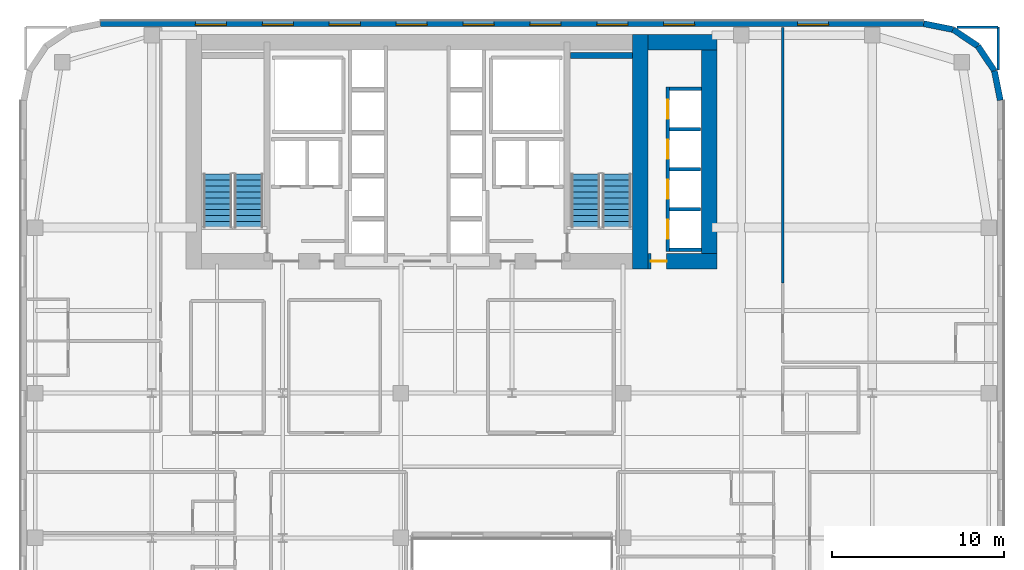
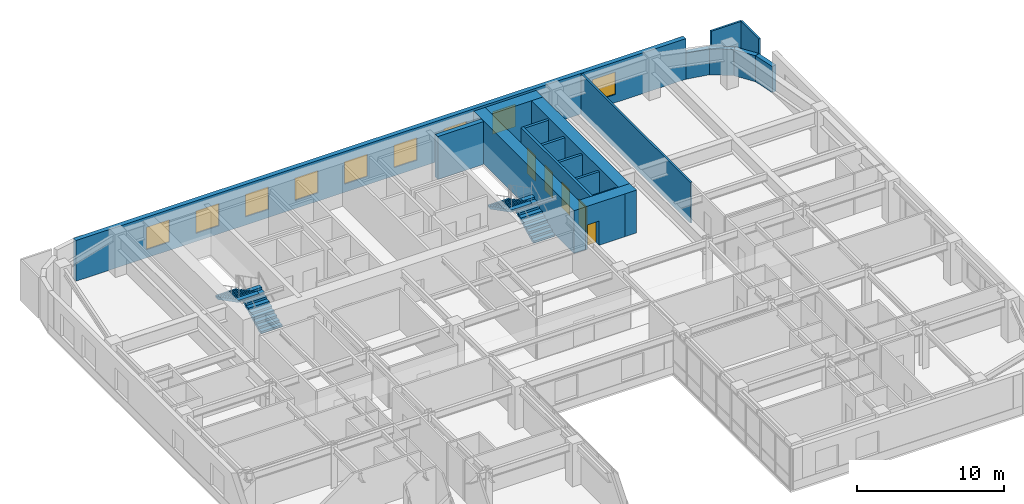
# One storey, part 19 of 24: 19 walls, 9 windows, 5 doors, 4 stair flights, 14 openings, 2 elements without a shape of their own.
"""IFC4 building model written with IfcOpenShell, lengths in metres."""

from ifc_helpers import new_model, si_unit, direction, frame, frame_2d, origin, place, context, subcontext, project, spatial, polyline, rectangle, outline, extrude, source, transform, mapped, material, layer, layer_set, type_object, type_shapes, element, fill, aggregate, save


model = new_model("IFC4")

# Units and contexts
model_context = context("Model", 3, precision=1e-05, world=origin(), true_north=direction((0.0, 1.0)))
body_context = subcontext(model_context, "Body", "Model", "MODEL_VIEW")
ifc_project = project(units=[si_unit("LENGTHUNIT", "METRE"), si_unit("AREAUNIT", "SQUARE_METRE"), si_unit("VOLUMEUNIT", "CUBIC_METRE"), si_unit("PLANEANGLEUNIT", "RADIAN"), si_unit("MASSUNIT", "GRAM", prefix="KILO")], contexts=[model_context])

# Site, building, storey
site_placement = place(None, origin())
site = spatial("IfcSite", under=ifc_project, at=site_placement, CompositionType="ELEMENT")
building_placement = place(site_placement, origin())
building = spatial("IfcBuilding", under=site, at=building_placement, Name="Tolvann Quenvar Hotel", CompositionType="ELEMENT")
storey_placement = place(building_placement, frame((0.0, 0.0, 81.699951171875)))
storey = spatial("IfcBuildingStorey", under=building, at=storey_placement, Name="L20", CompositionType="ELEMENT", Elevation=81.699951171875)

# Wall
ifc_material_1 = material(Name="Concrete S80 (80 MPa)", Category="concrete")
ifc_layer_1 = layer(ifc_material_1, 0.89990234375)
ifc_layer_set_1 = layer_set([ifc_layer_1], Name="Concrete S80 (80 MPa)")
wall_type_1 = type_object("IfcWallType", Name="WALL_CORE_900", PredefinedType="SHEAR", material=ifc_layer_set_1)
wall_1_placement = place(storey_placement, frame((35.949951171875, 31.60009765625, 0.0), z_axis=(0.0, 0.0, 1.0), x_axis=(0.0, 1.0, 0.0)))
element("IfcWall", 1, at=wall_1_placement, inside=storey, type_object=wall_type_1, Name="Rear Core E Shear Wall (L20)", PredefinedType="SHEAR", context=body_context, shape_type="SweptSolid", body=[
    extrude(rectangle(XDim=13.599853515625, YDim=0.89990234375, at=frame_2d((6.7998046875, 0.0))), origin(), (0.0, 0.0, 1.0), 3.550048828125),
])

# Wall, opening, door
wall_2_placement = place(storey_placement, frame((36.39990234375, 32.050048828125, 0.0), z_axis=(0.0, 0.0, 1.0), x_axis=(1.0, 0.0, 0.0)))
wall_2 = element("IfcWall", 2, at=wall_2_placement, inside=storey, type_object=wall_type_1, Name="Core East Annex Shear Wall ANN-S (L20)", PredefinedType="SHEAR", context=body_context, shape_type="SweptSolid", body=[
    extrude(rectangle(XDim=4.0, YDim=0.89990234375, at=frame_2d((2.0, 0.0))), origin(), (0.0, 0.0, 1.0), 3.550048828125),
])
opening_1_placement = place(wall_2_placement, frame((1.06982421875, 0.0, 0.0), z_axis=(0.0, 0.0, 1.0), x_axis=(-1.0, 0.0, 0.0)))
opening_1 = element("IfcOpeningElement", 3, at=opening_1_placement, cuts=wall_2, Name="Opening WD-01", PredefinedType="OPENING", context=body_context, shape_type="SweptSolid", body=[
    extrude(rectangle(XDim=0.919921875, YDim=2.010009765625, at=frame_2d((0.4599609375, 1.0048828125))), frame((0.0, 0.4599609375, 0.0), z_axis=(0.0, -1.0, 0.0), x_axis=(1.0, 0.0, 0.0)), (0.0, 0.0, 1.0), 0.919921875),
])
ifc_material_2 = material(Name="Solid-core American oak acoustic fire door leaf in steel frame", Category="steel")
door_type_1 = type_object("IfcDoorType", Name="DOOR_WC_920", OperationType="NOTDEFINED", PredefinedType="DOOR", material=ifc_material_2)
shared_shape_1 = source(origin(), body_context, "Body", "SweptSolid", [
    extrude(rectangle(XDim=0.919921875, YDim=2.010009765625, at=frame_2d((0.4599609375, 1.0048828125))), frame((0.0, 0.02490234375, 0.0), z_axis=(0.0, -1.0, 0.0), x_axis=(1.0, 0.0, 0.0)), (0.0, 0.0, 1.0), 0.050048828125),
])
type_shapes(door_type_1, [shared_shape_1])
door_1_placement = place(opening_1_placement, origin())
door_1 = element("IfcDoor", 4, at=door_1_placement, inside=storey, type_object=door_type_1, Name="Low-Rise Lift Lobby Fire Door (L20)", OperationType="SINGLE_SWING_RIGHT", OverallHeight=2.010009765625, OverallWidth=0.919921875, PredefinedType="DOOR", context=body_context, shape_type="MappedRepresentation", body=[
    mapped(shared_shape_1, transform((0.0, 0.0, 0.0), x_axis=(1.0, 0.0, 0.0), y_axis=(0.0, 1.0, 0.0), z_axis=(0.0, 0.0, 1.0), scale=1.0)),
])
fill(opening_1, door_1)

# Walls
wall_3_placement = place(storey_placement, frame((36.39990234375, 44.75, 0.0), z_axis=(0.0, 0.0, 1.0), x_axis=(1.0, 0.0, 0.0)))
element("IfcWall", 5, at=wall_3_placement, inside=storey, type_object=wall_type_1, Name="Core East Annex Shear Wall ANN-N (L20)", PredefinedType="SHEAR", context=body_context, shape_type="SweptSolid", body=[
    extrude(rectangle(XDim=4.0, YDim=0.89990234375, at=frame_2d((2.0, 0.0))), origin(), (0.0, 0.0, 1.0), 3.550048828125),
])
wall_4_placement = place(storey_placement, frame((39.949951171875, 31.60009765625, 0.0), z_axis=(0.0, 0.0, 1.0), x_axis=(0.0, 1.0, 0.0)))
element("IfcWall", 6, at=wall_4_placement, inside=storey, type_object=wall_type_1, Name="Core East Annex Shear Wall ANN-E (L20)", PredefinedType="SHEAR", context=body_context, shape_type="SweptSolid", body=[
    extrude(rectangle(XDim=13.599853515625, YDim=0.89990234375, at=frame_2d((6.7998046875, 0.0))), origin(), (0.0, 0.0, 1.0), 3.550048828125),
])
ifc_material_3 = material(Name="Concrete S65 (65 MPa)", Category="concrete")
ifc_layer_2 = layer(ifc_material_3, 0.35009765625)
ifc_layer_set_2 = layer_set([ifc_layer_2], Name="Concrete S65 (65 MPa)")
wall_type_2 = type_object("IfcWallType", Name="WALL_CORE_INT_350", PredefinedType="SHEAR", material=ifc_layer_set_2)
wall_5_placement = place(storey_placement, frame((31.8798828125, 43.97509765625, 0.0), z_axis=(0.0, 0.0, 1.0), x_axis=(1.0, 0.0, 0.0)))
element("IfcWall", 7, at=wall_5_placement, inside=storey, type_object=wall_type_2, Name="Core Stair North Closing Shear Wall STC2-N (L20)", PredefinedType="SHEAR", context=body_context, shape_type="SweptSolid", body=[
    extrude(rectangle(XDim=3.60009765625, YDim=0.35009765625, at=frame_2d((1.800048828125, 0.0))), origin(), (0.0, 0.0, 1.0), 3.550048828125),
])
ifc_material_4 = material(Name="Kiln-fired red and buff architectural clay brickwork and terracotta masonry", Category="masonry")
ifc_layer_3 = layer(ifc_material_4, 0.35009765625)
ifc_layer_set_3 = layer_set([ifc_layer_3], Name="Kiln-fired red and buff architectural clay brickwork and terracotta masonry")
wall_type_3 = type_object("IfcWallType", Name="WALL_EXT_BRICK_350", PredefinedType="SOLIDWALL", material=ifc_layer_set_3)
wall_6_placement = place(storey_placement, frame((56.824951171875, 41.3828125, 0.0), z_axis=(0.0, 0.0, 1.0), x_axis=(-0.195011420161, 0.980800971659, 0.0)))
element("IfcWall", 8, at=wall_6_placement, inside=storey, type_object=wall_type_3, Name="Exterior Chicago Brick Wall L20-E14", PredefinedType="SOLIDWALL", context=body_context, shape_type="SweptSolid", body=[
    extrude(rectangle(XDim=1.74267578125, YDim=0.35009765625, at=frame_2d((0.871337890625, 0.0))), origin(), (0.0, 0.0, 1.0), 2.16015625),
])
for number, where, z_axis, x_axis, name in (
    (9, (56.485107421875, 43.092041015625, 0.0), (0.0, 0.0, 1.0), (-0.55554893791, 0.831483840845, 0.0), "Exterior Chicago Brick Wall L20-E15"),
    (10, (55.526611328125, 44.526611328125, 0.0), (0.0, 0.0, 1.0), (-0.831483840845, 0.55554893791, 0.0), "Exterior Chicago Brick Wall L20-E16"),
):
    element("IfcWall", number, at=place(storey_placement, frame(where, z_axis=z_axis, x_axis=x_axis)), inside=storey, type_object=wall_type_3, Name=name, PredefinedType="SOLIDWALL", context=body_context, shape_type="SweptSolid", body=[
        extrude(rectangle(XDim=1.725341796875, YDim=0.35009765625, at=frame_2d((0.86279296875, 0.0))), origin(), (0.0, 0.0, 1.0), 2.16015625),
    ])
wall_7_placement = place(storey_placement, frame((54.092041015625, 45.485107421875, 0.0), z_axis=(0.0, 0.0, 1.0), x_axis=(-0.980800971659, 0.195011420161, 0.0)))
element("IfcWall", 11, at=wall_7_placement, inside=storey, type_object=wall_type_3, Name="Exterior Chicago Brick Wall L20-E17", PredefinedType="SOLIDWALL", context=body_context, shape_type="SweptSolid", body=[
    extrude(rectangle(XDim=1.74267578125, YDim=0.35009765625, at=frame_2d((0.871337890625, 0.0))), origin(), (0.0, 0.0, 1.0), 2.16015625),
])

# Wall, openings, windows
wall_8_placement = place(storey_placement, frame((52.3828125, 45.824951171875, 0.0), z_axis=(0.0, 0.0, 1.0), x_axis=(-1.0, 0.0, 0.0)))
wall_8 = element("IfcWall", 12, at=wall_8_placement, inside=storey, type_object=wall_type_3, Name="Exterior Chicago Brick Wall L20-E18", PredefinedType="SOLIDWALL", context=body_context, shape_type="SweptSolid", body=[
    extrude(rectangle(XDim=47.765625, YDim=0.35009765625, at=frame_2d((23.8828125, 0.0))), origin(), (0.0, 0.0, 1.0), 3.3701171875),
])
opening_2_placement = place(wall_8_placement, frame((5.52099609375, 0.0, 0.679931640625)))
opening_2 = element("IfcOpeningElement", 13, at=opening_2_placement, cuts=wall_8, Name="Opening W-03", PredefinedType="OPENING", context=body_context, shape_type="SweptSolid", body=[
    extrude(rectangle(XDim=1.800048828125, YDim=1.85009765625, at=frame_2d((0.89990234375, 0.925048828125))), frame((0.0, 0.18505859375, 0.0), z_axis=(0.0, -1.0, 0.0), x_axis=(1.0, 0.0, 0.0)), (0.0, 0.0, 1.0), 0.3701171875),
])
opening_3_placement = place(wall_8_placement, frame((13.281982421875, 0.0, 0.679931640625)))
opening_3 = element("IfcOpeningElement", 14, at=opening_3_placement, cuts=wall_8, Name="Opening W-03", PredefinedType="OPENING", context=body_context, shape_type="SweptSolid", body=[
    extrude(rectangle(XDim=1.800048828125, YDim=1.85009765625, at=frame_2d((0.89990234375, 0.925048828125))), frame((0.0, 0.18505859375, 0.0), z_axis=(0.0, -1.0, 0.0), x_axis=(1.0, 0.0, 0.0)), (0.0, 0.0, 1.0), 0.3701171875),
])
opening_4_placement = place(wall_8_placement, frame((17.162109375, 0.0, 0.679931640625)))
opening_4 = element("IfcOpeningElement", 15, at=opening_4_placement, cuts=wall_8, Name="Opening W-03", PredefinedType="OPENING", context=body_context, shape_type="SweptSolid", body=[
    extrude(rectangle(XDim=1.800048828125, YDim=1.85009765625, at=frame_2d((0.89990234375, 0.925048828125))), frame((0.0, 0.18505859375, 0.0), z_axis=(0.0, -1.0, 0.0), x_axis=(1.0, 0.0, 0.0)), (0.0, 0.0, 1.0), 0.3701171875),
])
opening_5_placement = place(wall_8_placement, frame((21.04296875, 0.0, 0.679931640625)))
opening_5 = element("IfcOpeningElement", 16, at=opening_5_placement, cuts=wall_8, Name="Opening W-03", PredefinedType="OPENING", context=body_context, shape_type="SweptSolid", body=[
    extrude(rectangle(XDim=1.800048828125, YDim=1.85009765625, at=frame_2d((0.89990234375, 0.925048828125))), frame((0.0, 0.18505859375, 0.0), z_axis=(0.0, -1.0, 0.0), x_axis=(1.0, 0.0, 0.0)), (0.0, 0.0, 1.0), 0.3701171875),
])
opening_6_placement = place(wall_8_placement, frame((24.923095703125, 0.0, 0.679931640625)))
opening_6 = element("IfcOpeningElement", 17, at=opening_6_placement, cuts=wall_8, Name="Opening W-03", PredefinedType="OPENING", context=body_context, shape_type="SweptSolid", body=[
    extrude(rectangle(XDim=1.800048828125, YDim=1.85009765625, at=frame_2d((0.89990234375, 0.925048828125))), frame((0.0, 0.18505859375, 0.0), z_axis=(0.0, -1.0, 0.0), x_axis=(1.0, 0.0, 0.0)), (0.0, 0.0, 1.0), 0.3701171875),
])
opening_7_placement = place(wall_8_placement, frame((28.803955078125, 0.0, 0.679931640625)))
opening_7 = element("IfcOpeningElement", 18, at=opening_7_placement, cuts=wall_8, Name="Opening W-03", PredefinedType="OPENING", context=body_context, shape_type="SweptSolid", body=[
    extrude(rectangle(XDim=1.800048828125, YDim=1.85009765625, at=frame_2d((0.89990234375, 0.925048828125))), frame((0.0, 0.18505859375, 0.0), z_axis=(0.0, -1.0, 0.0), x_axis=(1.0, 0.0, 0.0)), (0.0, 0.0, 1.0), 0.3701171875),
])
opening_8_placement = place(wall_8_placement, frame((32.68408203125, 0.0, 0.679931640625)))
opening_8 = element("IfcOpeningElement", 19, at=opening_8_placement, cuts=wall_8, Name="Opening W-03", PredefinedType="OPENING", context=body_context, shape_type="SweptSolid", body=[
    extrude(rectangle(XDim=1.800048828125, YDim=1.85009765625, at=frame_2d((0.89990234375, 0.925048828125))), frame((0.0, 0.18505859375, 0.0), z_axis=(0.0, -1.0, 0.0), x_axis=(1.0, 0.0, 0.0)), (0.0, 0.0, 1.0), 0.3701171875),
])
opening_9_placement = place(wall_8_placement, frame((36.56396484375, 0.0, 0.679931640625)))
opening_9 = element("IfcOpeningElement", 20, at=opening_9_placement, cuts=wall_8, Name="Opening W-03", PredefinedType="OPENING", context=body_context, shape_type="SweptSolid", body=[
    extrude(rectangle(XDim=1.800048828125, YDim=1.85009765625, at=frame_2d((0.89990234375, 0.925048828125))), frame((0.0, 0.18505859375, 0.0), z_axis=(0.0, -1.0, 0.0), x_axis=(1.0, 0.0, 0.0)), (0.0, 0.0, 1.0), 0.3701171875),
])
opening_10_placement = place(wall_8_placement, frame((40.445068359375, 0.0, 0.679931640625)))
opening_10 = element("IfcOpeningElement", 21, at=opening_10_placement, cuts=wall_8, Name="Opening W-03", PredefinedType="OPENING", context=body_context, shape_type="SweptSolid", body=[
    extrude(rectangle(XDim=1.800048828125, YDim=1.85009765625, at=frame_2d((0.89990234375, 0.925048828125))), frame((0.0, 0.18505859375, 0.0), z_axis=(0.0, -1.0, 0.0), x_axis=(1.0, 0.0, 0.0)), (0.0, 0.0, 1.0), 0.3701171875),
])
ifc_material_5 = material(Name="Thermally broken bronze-anodised aluminium frame with double low-E glazing", Category="aluminium")
window_type = type_object("IfcWindowType", Name="WIN_CHI_1800x2050", PartitioningType="TRIPLE_PANEL_HORIZONTAL", PredefinedType="WINDOW", material=ifc_material_5)
shared_shape_2 = source(origin(), body_context, "Body", "SweptSolid", [
    extrude(rectangle(XDim=1.800048828125, YDim=1.85009765625, at=frame_2d((0.89990234375, 0.925048828125))), frame((0.0, 0.090087890625, 0.0), z_axis=(0.0, -1.0, 0.0), x_axis=(1.0, 0.0, 0.0)), (0.0, 0.0, 1.0), 0.06005859375),
])
type_shapes(window_type, [shared_shape_2])
window_1_placement = place(opening_2_placement, origin())
window_1 = element("IfcWindow", 22, at=window_1_placement, inside=storey, type_object=window_type, Name="Chicago Window W-03 (EW-L20-E18-W01)", OverallHeight=1.85009765625, OverallWidth=1.800048828125, PartitioningType="TRIPLE_PANEL_HORIZONTAL", PredefinedType="WINDOW", context=body_context, shape_type="MappedRepresentation", body=[
    mapped(shared_shape_2, transform((0.0, 0.0, 0.0), x_axis=(1.0, 0.0, 0.0), y_axis=(0.0, 1.0, 0.0), z_axis=(0.0, 0.0, 1.0), scale=1.0)),
])
fill(opening_2, window_1)
window_2_placement = place(opening_3_placement, origin())
window_2 = element("IfcWindow", 23, at=window_2_placement, inside=storey, type_object=window_type, Name="Chicago Window W-03 (EW-L20-E18-W02)", OverallHeight=1.85009765625, OverallWidth=1.800048828125, PartitioningType="TRIPLE_PANEL_HORIZONTAL", PredefinedType="WINDOW", context=body_context, shape_type="MappedRepresentation", body=[
    mapped(shared_shape_2, transform((0.0, 0.0, 0.0), x_axis=(1.0, 0.0, 0.0), y_axis=(0.0, 1.0, 0.0), z_axis=(0.0, 0.0, 1.0), scale=1.0)),
])
fill(opening_3, window_2)
window_3_placement = place(opening_4_placement, origin())
window_3 = element("IfcWindow", 24, at=window_3_placement, inside=storey, type_object=window_type, Name="Chicago Window W-03 (EW-L20-E18-W03)", OverallHeight=1.85009765625, OverallWidth=1.800048828125, PartitioningType="TRIPLE_PANEL_HORIZONTAL", PredefinedType="WINDOW", context=body_context, shape_type="MappedRepresentation", body=[
    mapped(shared_shape_2, transform((0.0, 0.0, 0.0), x_axis=(1.0, 0.0, 0.0), y_axis=(0.0, 1.0, 0.0), z_axis=(0.0, 0.0, 1.0), scale=1.0)),
])
fill(opening_4, window_3)
window_4_placement = place(opening_5_placement, origin())
window_4 = element("IfcWindow", 25, at=window_4_placement, inside=storey, type_object=window_type, Name="Chicago Window W-03 (EW-L20-E18-W04)", OverallHeight=1.85009765625, OverallWidth=1.800048828125, PartitioningType="TRIPLE_PANEL_HORIZONTAL", PredefinedType="WINDOW", context=body_context, shape_type="MappedRepresentation", body=[
    mapped(shared_shape_2, transform((0.0, 0.0, 0.0), x_axis=(1.0, 0.0, 0.0), y_axis=(0.0, 1.0, 0.0), z_axis=(0.0, 0.0, 1.0), scale=1.0)),
])
fill(opening_5, window_4)
window_5_placement = place(opening_6_placement, origin())
window_5 = element("IfcWindow", 26, at=window_5_placement, inside=storey, type_object=window_type, Name="Chicago Window W-03 (EW-L20-E18-W05)", OverallHeight=1.85009765625, OverallWidth=1.800048828125, PartitioningType="TRIPLE_PANEL_HORIZONTAL", PredefinedType="WINDOW", context=body_context, shape_type="MappedRepresentation", body=[
    mapped(shared_shape_2, transform((0.0, 0.0, 0.0), x_axis=(1.0, 0.0, 0.0), y_axis=(0.0, 1.0, 0.0), z_axis=(0.0, 0.0, 1.0), scale=1.0)),
])
fill(opening_6, window_5)
window_6_placement = place(opening_7_placement, origin())
window_6 = element("IfcWindow", 27, at=window_6_placement, inside=storey, type_object=window_type, Name="Chicago Window W-03 (EW-L20-E18-W06)", OverallHeight=1.85009765625, OverallWidth=1.800048828125, PartitioningType="TRIPLE_PANEL_HORIZONTAL", PredefinedType="WINDOW", context=body_context, shape_type="MappedRepresentation", body=[
    mapped(shared_shape_2, transform((0.0, 0.0, 0.0), x_axis=(1.0, 0.0, 0.0), y_axis=(0.0, 1.0, 0.0), z_axis=(0.0, 0.0, 1.0), scale=1.0)),
])
fill(opening_7, window_6)
window_7_placement = place(opening_8_placement, origin())
window_7 = element("IfcWindow", 28, at=window_7_placement, inside=storey, type_object=window_type, Name="Chicago Window W-03 (EW-L20-E18-W07)", OverallHeight=1.85009765625, OverallWidth=1.800048828125, PartitioningType="TRIPLE_PANEL_HORIZONTAL", PredefinedType="WINDOW", context=body_context, shape_type="MappedRepresentation", body=[
    mapped(shared_shape_2, transform((0.0, 0.0, 0.0), x_axis=(1.0, 0.0, 0.0), y_axis=(0.0, 1.0, 0.0), z_axis=(0.0, 0.0, 1.0), scale=1.0)),
])
fill(opening_8, window_7)
window_8_placement = place(opening_9_placement, origin())
window_8 = element("IfcWindow", 29, at=window_8_placement, inside=storey, type_object=window_type, Name="Chicago Window W-03 (EW-L20-E18-W08)", OverallHeight=1.85009765625, OverallWidth=1.800048828125, PartitioningType="TRIPLE_PANEL_HORIZONTAL", PredefinedType="WINDOW", context=body_context, shape_type="MappedRepresentation", body=[
    mapped(shared_shape_2, transform((0.0, 0.0, 0.0), x_axis=(1.0, 0.0, 0.0), y_axis=(0.0, 1.0, 0.0), z_axis=(0.0, 0.0, 1.0), scale=1.0)),
])
fill(opening_9, window_8)
window_9_placement = place(opening_10_placement, origin())
window_9 = element("IfcWindow", 30, at=window_9_placement, inside=storey, type_object=window_type, Name="Chicago Window W-03 (EW-L20-E18-W09)", OverallHeight=1.85009765625, OverallWidth=1.800048828125, PartitioningType="TRIPLE_PANEL_HORIZONTAL", PredefinedType="WINDOW", context=body_context, shape_type="MappedRepresentation", body=[
    mapped(shared_shape_2, transform((0.0, 0.0, 0.0), x_axis=(1.0, 0.0, 0.0), y_axis=(0.0, 1.0, 0.0), z_axis=(0.0, 0.0, 1.0), scale=1.0)),
])
fill(opening_10, window_9)

# Walls
ifc_material_6 = material(Name="Acoustic twin-stud fire-rated gypsum plasterboard partition")
ifc_layer_4 = layer(ifc_material_6, 0.14990234375)
ifc_layer_set_4 = layer_set([ifc_layer_4], Name="Acoustic twin-stud fire-rated gypsum plasterboard partition")
wall_type_4 = type_object("IfcWallType", Name="WALL_PART_SUITE_150", PredefinedType="PARTITIONING", material=ifc_layer_set_4)
wall_9_placement = place(storey_placement, frame((56.699951171875, 43.135009765625, 0.0), z_axis=(0.0, 0.0, 1.0), x_axis=(0.0, 1.0, 0.0)))
element("IfcWall", 31, at=wall_9_placement, inside=storey, type_object=wall_type_4, Name="Interior Partition PT-SPC-L20-RM-NE01-E4", PredefinedType="PARTITIONING", context=body_context, shape_type="SweptSolid", body=[
    extrude(rectangle(XDim=2.485107421875, YDim=0.14990234375, at=frame_2d((1.24267578125, 0.0))), origin(), (0.0, 0.0, 1.0), 3.3701171875),
])
wall_10_placement = place(storey_placement, frame((54.303955078125, 45.6201171875, 0.0), z_axis=(0.0, 0.0, 1.0), x_axis=(1.0, 0.0, 0.0)))
element("IfcWall", 32, at=wall_10_placement, inside=storey, type_object=wall_type_4, Name="Interior Partition PT-SPC-L20-RM-NE01-E5", PredefinedType="PARTITIONING", context=body_context, shape_type="SweptSolid", body=[
    extrude(rectangle(XDim=2.39599609375, YDim=0.14990234375, at=frame_2d((1.197998046875, 0.0))), origin(), (0.0, 0.0, 1.0), 3.3701171875),
])
wall_11_placement = place(storey_placement, frame((44.199951171875, 30.77001953125, 0.0), z_axis=(0.0, 0.0, 1.0), x_axis=(0.0, 1.0, 0.0)))
element("IfcWall", 33, at=wall_11_placement, inside=storey, type_object=wall_type_4, Name="Interior Partition PT-SPC-L20-RM-NE01-E6", PredefinedType="PARTITIONING", context=body_context, shape_type="SweptSolid", body=[
    extrude(rectangle(XDim=14.824951171875, YDim=0.14990234375, at=frame_2d((7.41259765625, 0.0))), origin(), (0.0, 0.0, 1.0), 3.3701171875),
])

# Wall, openings, doors
ifc_material_7 = material(Name="Concrete N40 (40 MPa)", Category="concrete")
ifc_layer_5 = layer(ifc_material_7, 0.199951171875)
ifc_layer_set_5 = layer_set([ifc_layer_5], Name="Concrete N40 (40 MPa)")
wall_type_5 = type_object("IfcWallType", Name="WALL_SHAFT_200", PredefinedType="SOLIDWALL", material=ifc_layer_set_5)
wall_12_placement = place(storey_placement, frame((37.530029296875, 32.610107421875, 0.0), z_axis=(0.0, 0.0, 1.0), x_axis=(0.0, 1.0, 0.0)))
wall_12 = element("IfcWall", 34, at=wall_12_placement, inside=storey, type_object=wall_type_5, Name="Lift Bank W37.6C1 Hoistway Front Wall (L20)", PredefinedType="SOLIDWALL", context=body_context, shape_type="SweptSolid", body=[
    extrude(rectangle(XDim=9.539794921875, YDim=0.199951171875, at=frame_2d((4.77001953125, 0.0))), origin(), (0.0, 0.0, 1.0), 3.3701171875),
])
opening_11_placement = place(wall_12_placement, frame((0.739990234375, 0.0, 0.0)))
opening_11 = element("IfcOpeningElement", 35, at=opening_11_placement, cuts=wall_12, Name="Opening LD-01", PredefinedType="OPENING", context=body_context, shape_type="SweptSolid", body=[
    extrude(rectangle(XDim=1.10009765625, YDim=2.1201171875, at=frame_2d((0.550048828125, 1.06005859375))), frame((0.0, 0.10986328125, 0.0), z_axis=(0.0, -1.0, 0.0), x_axis=(1.0, 0.0, 0.0)), (0.0, 0.0, 1.0), 0.219970703125),
])
opening_12_placement = place(wall_12_placement, frame((3.06005859375, 0.0, 0.0)))
opening_12 = element("IfcOpeningElement", 36, at=opening_12_placement, cuts=wall_12, Name="Opening LD-01", PredefinedType="OPENING", context=body_context, shape_type="SweptSolid", body=[
    extrude(rectangle(XDim=1.10009765625, YDim=2.1201171875, at=frame_2d((0.550048828125, 1.06005859375))), frame((0.0, 0.10986328125, 0.0), z_axis=(0.0, -1.0, 0.0), x_axis=(1.0, 0.0, 0.0)), (0.0, 0.0, 1.0), 0.219970703125),
])
opening_13_placement = place(wall_12_placement, frame((5.3798828125, 0.0, 0.0)))
opening_13 = element("IfcOpeningElement", 37, at=opening_13_placement, cuts=wall_12, Name="Opening LD-01", PredefinedType="OPENING", context=body_context, shape_type="SweptSolid", body=[
    extrude(rectangle(XDim=1.10009765625, YDim=2.1201171875, at=frame_2d((0.550048828125, 1.06005859375))), frame((0.0, 0.10986328125, 0.0), z_axis=(0.0, -1.0, 0.0), x_axis=(1.0, 0.0, 0.0)), (0.0, 0.0, 1.0), 0.219970703125),
])
opening_14_placement = place(wall_12_placement, frame((7.699951171875, 0.0, 0.0)))
opening_14 = element("IfcOpeningElement", 38, at=opening_14_placement, cuts=wall_12, Name="Opening LD-01", PredefinedType="OPENING", context=body_context, shape_type="SweptSolid", body=[
    extrude(rectangle(XDim=1.10009765625, YDim=2.1201171875, at=frame_2d((0.550048828125, 1.06005859375))), frame((0.0, 0.10986328125, 0.0), z_axis=(0.0, -1.0, 0.0), x_axis=(1.0, 0.0, 0.0)), (0.0, 0.0, 1.0), 0.219970703125),
])
ifc_material_8 = material(Name="Brushed 316 stainless steel automatic sliding lift landing door", Category="steel")
door_type_2 = type_object("IfcDoorType", Name="DOOR_LIFT_SLIDE_1100", OperationType="NOTDEFINED", PredefinedType="DOOR", material=ifc_material_8)
shared_shape_3 = source(origin(), body_context, "Body", "SweptSolid", [
    extrude(rectangle(XDim=1.10009765625, YDim=2.1201171875, at=frame_2d((0.550048828125, 1.06005859375))), frame((0.0, 0.02490234375, 0.0), z_axis=(0.0, -1.0, 0.0), x_axis=(1.0, 0.0, 0.0)), (0.0, 0.0, 1.0), 0.050048828125),
])
type_shapes(door_type_2, [shared_shape_3])
door_2_placement = place(opening_11_placement, origin())
door_2 = element("IfcDoor", 39, at=door_2_placement, inside=storey, type_object=door_type_2, Name="Lift PL-1 Sliding Landing Door (L20)", OperationType="SLIDING_TO_LEFT", OverallHeight=2.1201171875, OverallWidth=1.10009765625, PredefinedType="DOOR", context=body_context, shape_type="MappedRepresentation", body=[
    mapped(shared_shape_3, transform((0.0, 0.0, 0.0), x_axis=(1.0, 0.0, 0.0), y_axis=(0.0, 1.0, 0.0), z_axis=(0.0, 0.0, 1.0), scale=1.0)),
])
fill(opening_11, door_2)
door_3_placement = place(opening_12_placement, origin())
door_3 = element("IfcDoor", 40, at=door_3_placement, inside=storey, type_object=door_type_2, Name="Lift PL-2 Sliding Landing Door (L20)", OperationType="SLIDING_TO_RIGHT", OverallHeight=2.1201171875, OverallWidth=1.10009765625, PredefinedType="DOOR", context=body_context, shape_type="MappedRepresentation", body=[
    mapped(shared_shape_3, transform((0.0, 0.0, 0.0), x_axis=(1.0, 0.0, 0.0), y_axis=(0.0, 1.0, 0.0), z_axis=(0.0, 0.0, 1.0), scale=1.0)),
])
fill(opening_12, door_3)
door_4_placement = place(opening_13_placement, origin())
door_4 = element("IfcDoor", 41, at=door_4_placement, inside=storey, type_object=door_type_2, Name="Lift PL-3 Sliding Landing Door (L20)", OperationType="SLIDING_TO_LEFT", OverallHeight=2.1201171875, OverallWidth=1.10009765625, PredefinedType="DOOR", context=body_context, shape_type="MappedRepresentation", body=[
    mapped(shared_shape_3, transform((0.0, 0.0, 0.0), x_axis=(1.0, 0.0, 0.0), y_axis=(0.0, 1.0, 0.0), z_axis=(0.0, 0.0, 1.0), scale=1.0)),
])
fill(opening_13, door_4)
door_5_placement = place(opening_14_placement, origin())
door_5 = element("IfcDoor", 42, at=door_5_placement, inside=storey, type_object=door_type_2, Name="Lift PL-4 Sliding Landing Door (L20)", OperationType="SLIDING_TO_RIGHT", OverallHeight=2.1201171875, OverallWidth=1.10009765625, PredefinedType="DOOR", context=body_context, shape_type="MappedRepresentation", body=[
    mapped(shared_shape_3, transform((0.0, 0.0, 0.0), x_axis=(1.0, 0.0, 0.0), y_axis=(0.0, 1.0, 0.0), z_axis=(0.0, 0.0, 1.0), scale=1.0)),
])
fill(opening_14, door_5)

# Walls
for number, where, z_axis, x_axis, name in (
    (43, (37.6298828125, 32.7099609375, 0.0), (0.0, 0.0, 1.0), (1.0, 0.0, 0.0), "Lift Bank W37.6C1 Hoistway Cheek Wall 1 (L20)"),
    (44, (37.6298828125, 42.050048828125, 0.0), (0.0, 0.0, 1.0), (1.0, 0.0, 0.0), "Lift Bank W37.6C1 Hoistway Cheek Wall 2 (L20)"),
):
    element("IfcWall", number, at=place(storey_placement, frame(where, z_axis=z_axis, x_axis=x_axis)), inside=storey, type_object=wall_type_5, Name=name, PredefinedType="SOLIDWALL", context=body_context, shape_type="SweptSolid", body=[
        extrude(rectangle(XDim=1.8701171875, YDim=0.199951171875, at=frame_2d((0.93505859375, 0.0))), origin(), (0.0, 0.0, 1.0), 3.3701171875),
    ])
for number, where, z_axis, x_axis, name in (
    (45, (37.6298828125, 35.06005859375, 0.0), (0.0, 0.0, 1.0), (1.0, 0.0, 0.0), "Lift Bank W37.6C1 Divider Wall 1 (L20)"),
    (46, (37.6298828125, 37.3798828125, 0.0), (0.0, 0.0, 1.0), (1.0, 0.0, 0.0), "Lift Bank W37.6C1 Divider Wall 2 (L20)"),
    (47, (37.6298828125, 39.699951171875, 0.0), (0.0, 0.0, 1.0), (1.0, 0.0, 0.0), "Lift Bank W37.6C1 Divider Wall 3 (L20)"),
):
    element("IfcWall", number, at=place(storey_placement, frame(where, z_axis=z_axis, x_axis=x_axis)), inside=storey, type_object=wall_type_5, Name=name, PredefinedType="SOLIDWALL", context=body_context, shape_type="SweptSolid", body=[
        extrude(rectangle(XDim=1.800048828125, YDim=0.199951171875, at=frame_2d((0.89990234375, 0.0))), origin(), (0.0, 0.0, 1.0), 3.3701171875),
    ])

# Stair, stair flights
stair_type = type_object("IfcStairType", Name="STAIR", PredefinedType="HALF_TURN_STAIR", material=ifc_material_7)
stair_1_placement = place(storey_placement, origin())
stair_1 = element("IfcStair", 48, at=stair_1_placement, inside=storey, type_object=stair_type, Name="L20 ST-C1", PredefinedType="HALF_TURN_STAIR")
stair_flight_type = type_object("IfcStairFlightType", Name="STAIR_FLIGHT", PredefinedType="STRAIGHT", material=ifc_material_7)
stair_flight_1_placement = place(storey_placement, frame((13.22509765625, 34.0, 0.0), z_axis=(0.0, 0.0, 1.0), x_axis=(0.0, 1.0, 0.0)))
stair_flight_1 = element("IfcStairFlight", 49, at=stair_flight_1_placement, type_object=stair_flight_type, Name="ST-C1 flight 1", NumberOfRisers=10, NumberOfTreads=9, PredefinedType="STRAIGHT", RiserHeight=0.1775, TreadLength=0.345, context=body_context, shape_type="SweptSolid", body=[
    extrude(outline(polyline([(0.0, 0.0), (0.0, 0.177490234375), (0.344970703125, 0.177490234375), (0.344970703125, 0.35498046875), (0.68994140625, 0.35498046875), (0.68994140625, 0.532470703125), (1.034912109375, 0.532470703125), (1.034912109375, 0.7099609375), (1.3798828125, 0.7099609375), (1.3798828125, 0.887451171875), (1.72509765625, 0.887451171875), (1.72509765625, 1.06494140625), (2.070068359375, 1.06494140625), (2.070068359375, 1.242431640625), (2.4150390625, 1.242431640625), (2.4150390625, 1.419921875), (2.760009765625, 1.419921875), (2.760009765625, 1.597412109375), (3.10498046875, 1.597412109375), (3.10498046875, 1.77490234375), (3.10498046875, 1.428955078125), (0.32763671875, 0.0), (0.0, 0.0)])), frame((0.0, 0.824951171875, 0.0), z_axis=(0.0, -1.0, 0.0), x_axis=(1.0, 0.0, 0.0)), (0.0, 0.0, 1.0), 1.64990234375),
])
stair_flight_2_placement = place(storey_placement, frame((11.425048828125, 37.10498046875, 1.775146484375), z_axis=(0.0, 0.0, 1.0), x_axis=(0.0, -1.0, 0.0)))
stair_flight_2 = element("IfcStairFlight", 50, at=stair_flight_2_placement, type_object=stair_flight_type, Name="ST-C1 flight 2", NumberOfRisers=10, NumberOfTreads=9, PredefinedType="STRAIGHT", RiserHeight=0.1775, TreadLength=0.345, context=body_context, shape_type="SweptSolid", body=[
    extrude(outline(polyline([(0.0, 0.0), (0.0, 0.177490234375), (0.344970703125, 0.177490234375), (0.344970703125, 0.35498046875), (0.68994140625, 0.35498046875), (0.68994140625, 0.532470703125), (1.034912109375, 0.532470703125), (1.034912109375, 0.7099609375), (1.3798828125, 0.7099609375), (1.3798828125, 0.887451171875), (1.72509765625, 0.887451171875), (1.72509765625, 1.06494140625), (2.070068359375, 1.06494140625), (2.070068359375, 1.242431640625), (2.4150390625, 1.242431640625), (2.4150390625, 1.419921875), (2.760009765625, 1.419921875), (2.760009765625, 1.597412109375), (3.10498046875, 1.597412109375), (3.10498046875, 1.77490234375), (3.10498046875, 1.428955078125), (0.32763671875, 0.0), (0.0, 0.0)])), frame((0.0, 0.824951171875, 0.0), z_axis=(0.0, -1.0, 0.0), x_axis=(1.0, 0.0, 0.0)), (0.0, 0.0, 1.0), 1.64990234375),
])
aggregate(stair_1, [stair_flight_1, stair_flight_2])

stair_2_placement = place(storey_placement, origin())
stair_2 = element("IfcStair", 51, at=stair_2_placement, inside=storey, type_object=stair_type, Name="L20 ST-C2", PredefinedType="HALF_TURN_STAIR")
stair_flight_3_placement = place(storey_placement, frame((34.574951171875, 34.0, 0.0), z_axis=(0.0, 0.0, 1.0), x_axis=(0.0, 1.0, 0.0)))
stair_flight_3 = element("IfcStairFlight", 52, at=stair_flight_3_placement, type_object=stair_flight_type, Name="ST-C2 flight 1", NumberOfRisers=10, NumberOfTreads=9, PredefinedType="STRAIGHT", RiserHeight=0.1775, TreadLength=0.345, context=body_context, shape_type="SweptSolid", body=[
    extrude(outline(polyline([(0.0, 0.0), (0.0, 0.177490234375), (0.344970703125, 0.177490234375), (0.344970703125, 0.35498046875), (0.68994140625, 0.35498046875), (0.68994140625, 0.532470703125), (1.034912109375, 0.532470703125), (1.034912109375, 0.7099609375), (1.3798828125, 0.7099609375), (1.3798828125, 0.887451171875), (1.72509765625, 0.887451171875), (1.72509765625, 1.06494140625), (2.070068359375, 1.06494140625), (2.070068359375, 1.242431640625), (2.4150390625, 1.242431640625), (2.4150390625, 1.419921875), (2.760009765625, 1.419921875), (2.760009765625, 1.597412109375), (3.10498046875, 1.597412109375), (3.10498046875, 1.77490234375), (3.10498046875, 1.428955078125), (0.32763671875, 0.0), (0.0, 0.0)])), frame((0.0, 0.824951171875, 0.0), z_axis=(0.0, -1.0, 0.0), x_axis=(1.0, 0.0, 0.0)), (0.0, 0.0, 1.0), 1.64990234375),
])
stair_flight_4_placement = place(storey_placement, frame((32.77490234375, 37.10498046875, 1.775146484375), z_axis=(0.0, 0.0, 1.0), x_axis=(0.0, -1.0, 0.0)))
stair_flight_4 = element("IfcStairFlight", 53, at=stair_flight_4_placement, type_object=stair_flight_type, Name="ST-C2 flight 2", NumberOfRisers=10, NumberOfTreads=9, PredefinedType="STRAIGHT", RiserHeight=0.1775, TreadLength=0.345, context=body_context, shape_type="SweptSolid", body=[
    extrude(outline(polyline([(0.0, 0.0), (0.0, 0.177490234375), (0.344970703125, 0.177490234375), (0.344970703125, 0.35498046875), (0.68994140625, 0.35498046875), (0.68994140625, 0.532470703125), (1.034912109375, 0.532470703125), (1.034912109375, 0.7099609375), (1.3798828125, 0.7099609375), (1.3798828125, 0.887451171875), (1.72509765625, 0.887451171875), (1.72509765625, 1.06494140625), (2.070068359375, 1.06494140625), (2.070068359375, 1.242431640625), (2.4150390625, 1.242431640625), (2.4150390625, 1.419921875), (2.760009765625, 1.419921875), (2.760009765625, 1.597412109375), (3.10498046875, 1.597412109375), (3.10498046875, 1.77490234375), (3.10498046875, 1.428955078125), (0.32763671875, 0.0), (0.0, 0.0)])), frame((0.0, 0.824951171875, 0.0), z_axis=(0.0, -1.0, 0.0), x_axis=(1.0, 0.0, 0.0)), (0.0, 0.0, 1.0), 1.64990234375),
])
aggregate(stair_2, [stair_flight_3, stair_flight_4])

save(model, "model.ifc")
